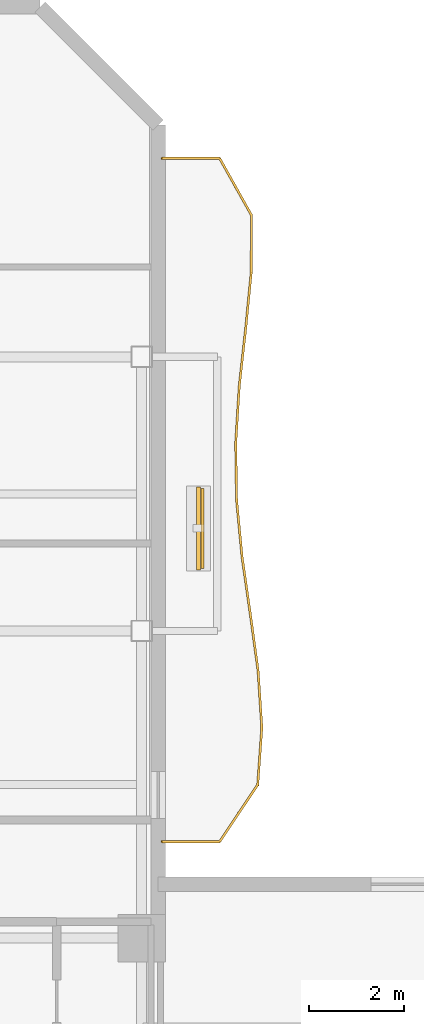
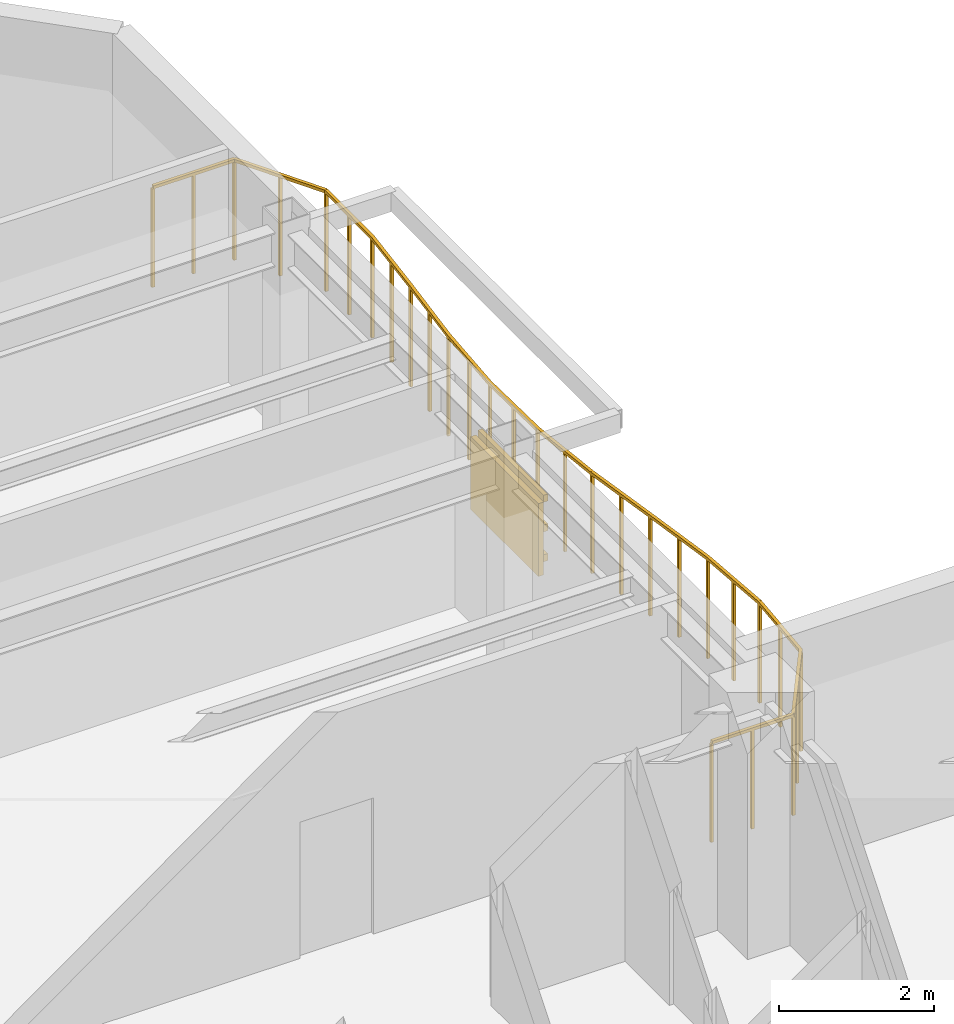
# One storey, part 9 of 9: 4 shading devices, 1 railing.
"""IFC4 building model written with IfcOpenShell, lengths in metres."""

from ifc_helpers import new_model, si_unit, direction, frame, origin, origin_2d, place, context, subcontext, project, spatial, rectangle, extrude, material, layer, layer_set, material_profile, profile_set, type_object, element, save


model = new_model("IFC4")

# Units and contexts
model_context = context("Model", 3, precision=1e-05, world=origin(), true_north=direction((0.0, 1.0)))
body_context = subcontext(model_context, "Body", "Model", "MODEL_VIEW")
ifc_project = project(units=[si_unit("LENGTHUNIT", "METRE"), si_unit("AREAUNIT", "SQUARE_METRE"), si_unit("VOLUMEUNIT", "CUBIC_METRE"), si_unit("PLANEANGLEUNIT", "RADIAN"), si_unit("MASSUNIT", "GRAM", prefix="KILO")], contexts=[model_context])

# Site, building, storey
site_placement = place(None, origin())
site = spatial("IfcSite", under=ifc_project, at=site_placement, CompositionType="ELEMENT")
building_placement = place(site_placement, origin())
building = spatial("IfcBuilding", under=site, at=building_placement, Name="Mawjaban Terraces University", CompositionType="ELEMENT")
storey_placement = place(building_placement, frame((0.0, 0.0, 179.699951171875)))
storey = spatial("IfcBuildingStorey", under=building, at=storey_placement, Name="L43", CompositionType="ELEMENT", Elevation=179.699951171875)

# Railing
ifc_material_1 = material(Name="Galvanised powder-coated steel S355", Category="steel")
railing_type = type_object("IfcRailingType", Name="BalconyBalustrade_1600", PredefinedType="BALUSTRADE", material=ifc_material_1)
railing_placement = place(storey_placement, frame((38.080078125, 25.5400390625, 0.0)))
element("IfcRailing", 1, at=railing_placement, inside=storey, type_object=railing_type, Name="L43 Balcony Guardrail inner_east", PredefinedType="BALUSTRADE", context=body_context, shape_type="SweptSolid", body=[
    extrude(rectangle(XDim=0.048095703125, YDim=0.048095703125, at=origin_2d()), frame((0.0, 0.0, 1.576171875), z_axis=(1.0, 0.0, 0.0), x_axis=(0.0, 1.0, 0.0)), (0.0, 0.0, 1.0), 1.219970703125),
    extrude(rectangle(XDim=0.048095703125, YDim=0.048095703125, at=origin_2d()), frame((1.219970703125, 0.0, 1.576171875), z_axis=(0.556369546641, 0.830934971927, 0.0), x_axis=(-0.830934971927, 0.556369546641, 0.0)), (0.0, 0.0, 1.0), 1.4501953125),
    extrude(rectangle(XDim=0.048095703125, YDim=0.048095703125, at=origin_2d()), frame((2.02685546875, 1.205078125, 1.576171875), z_axis=(0.072151881533, 0.997393656482, 0.0), x_axis=(-0.997393656482, 0.072151881533, 0.0)), (0.0, 0.0, 1.0), 1.2080078125),
    extrude(rectangle(XDim=0.048095703125, YDim=0.048095703125, at=origin_2d()), frame((2.114013671875, 2.409912109375, 1.576171875), z_axis=(-0.065499239993, 0.997852619158, 0.0), x_axis=(-0.997852619158, -0.065499239993, 0.0)), (0.0, 0.0, 1.0), 1.207763671875),
    extrude(rectangle(XDim=0.048095703125, YDim=0.048095703125, at=origin_2d()), frame((2.034912109375, 3.614990234375, 1.576171875), z_axis=(-0.135686433975, 0.990751831507, 0.0), x_axis=(-0.990751831507, -0.135686433975, 0.0)), (0.0, 0.0, 1.0), 1.21630859375),
    extrude(rectangle(XDim=0.048095703125, YDim=0.048095703125, at=origin_2d()), frame((1.869873046875, 4.820068359375, 1.576171875), z_axis=(-0.142993504754, 0.989723626877, 0.0), x_axis=(-0.989723626877, -0.142993504754, 0.0)), (0.0, 0.0, 1.0), 1.21728515625),
    extrude(rectangle(XDim=0.048095703125, YDim=0.048095703125, at=origin_2d()), frame((1.69580078125, 6.02490234375, 1.576171875), z_axis=(-0.095789257975, 0.995401636555, 0.0), x_axis=(-0.995401636555, -0.095789257975, 0.0)), (0.0, 0.0, 1.0), 1.210693359375),
    extrude(rectangle(XDim=0.048095703125, YDim=0.048095703125, at=origin_2d()), frame((1.579833984375, 7.22998046875, 1.576171875), z_axis=(-0.015597778108, 0.999878347259, 0.0), x_axis=(-0.999878347259, -0.015597778108, 0.0)), (0.0, 0.0, 1.0), 1.205322265625),
    extrude(rectangle(XDim=0.048095703125, YDim=0.048095703125, at=origin_2d()), frame((1.56103515625, 8.43505859375, 1.576171875), z_axis=(0.062894483615, 0.998020182126, 0.0), x_axis=(-0.998020182126, 0.062894483615, 0.0)), (0.0, 0.0, 1.0), 1.207275390625),
    extrude(rectangle(XDim=0.048095703125, YDim=0.048095703125, at=origin_2d()), frame((1.636962890625, 9.639892578125, 1.576171875), z_axis=(0.110542023216, 0.993871450995, 0.0), x_axis=(-0.993871450995, 0.110542023216, 0.0)), (0.0, 0.0, 1.0), 1.21240234375),
    extrude(rectangle(XDim=0.048095703125, YDim=0.048095703125, at=origin_2d()), frame((1.77099609375, 10.844970703125, 1.576171875), z_axis=(0.098186152374, 0.995168065948, 0.0), x_axis=(-0.995168065948, 0.098186152374, 0.0)), (0.0, 0.0, 1.0), 1.2109375),
    extrude(rectangle(XDim=0.048095703125, YDim=0.048095703125, at=origin_2d()), frame((1.889892578125, 12.050048828125, 1.576171875), z_axis=(0.004255280622, 0.999990946252, 0.0), x_axis=(-0.999990946252, 0.004255280622, 0.0)), (0.0, 0.0, 1.0), 1.204833984375),
    extrude(rectangle(XDim=0.048095703125, YDim=0.048095703125, at=origin_2d()), frame((1.89501953125, 13.2548828125, 1.576171875), z_axis=(-0.488716390717, 0.872442714133, 0.0), x_axis=(-0.872442714133, -0.488716390717, 0.0)), (0.0, 0.0, 1.0), 1.38134765625),
    extrude(rectangle(XDim=0.048095703125, YDim=0.048095703125, at=origin_2d()), frame((1.219970703125, 14.4599609375, 1.576171875), z_axis=(-1.0, 0.0, 0.0), x_axis=(0.0, -1.0, 0.0)), (0.0, 0.0, 1.0), 1.219970703125),
    extrude(rectangle(XDim=0.0419921875, YDim=0.0419921875, at=origin_2d()), origin(), (0.0, 0.0, 1.0), 1.552001953125),
    extrude(rectangle(XDim=0.0419921875, YDim=0.0419921875, at=origin_2d()), frame((0.60986328125, 0.0, 0.0)), (0.0, 0.0, 1.0), 1.552001953125),
    extrude(rectangle(XDim=0.0419921875, YDim=0.0419921875, at=origin_2d()), frame((1.219970703125, 0.0, 0.0)), (0.0, 0.0, 1.0), 1.552001953125),
    extrude(rectangle(XDim=0.0419921875, YDim=0.0419921875, at=origin_2d()), frame((1.62353515625, 0.6025390625, 0.0)), (0.0, 0.0, 1.0), 1.552001953125),
    extrude(rectangle(XDim=0.0419921875, YDim=0.0419921875, at=origin_2d()), frame((2.02685546875, 1.205078125, 0.0)), (0.0, 0.0, 1.0), 1.552001953125),
    extrude(rectangle(XDim=0.0419921875, YDim=0.0419921875, at=origin_2d()), frame((2.0703125, 1.8076171875, 0.0)), (0.0, 0.0, 1.0), 1.552001953125),
    extrude(rectangle(XDim=0.0419921875, YDim=0.0419921875, at=origin_2d()), frame((2.114013671875, 2.409912109375, 0.0)), (0.0, 0.0, 1.0), 1.552001953125),
    extrude(rectangle(XDim=0.0419921875, YDim=0.0419921875, at=origin_2d()), frame((2.074462890625, 3.012451171875, 0.0)), (0.0, 0.0, 1.0), 1.552001953125),
    extrude(rectangle(XDim=0.0419921875, YDim=0.0419921875, at=origin_2d()), frame((2.034912109375, 3.614990234375, 0.0)), (0.0, 0.0, 1.0), 1.552001953125),
    extrude(rectangle(XDim=0.0419921875, YDim=0.0419921875, at=origin_2d()), frame((1.952392578125, 4.217529296875, 0.0)), (0.0, 0.0, 1.0), 1.552001953125),
    extrude(rectangle(XDim=0.0419921875, YDim=0.0419921875, at=origin_2d()), frame((1.869873046875, 4.820068359375, 0.0)), (0.0, 0.0, 1.0), 1.552001953125),
    extrude(rectangle(XDim=0.0419921875, YDim=0.0419921875, at=origin_2d()), frame((1.78271484375, 5.42236328125, 0.0)), (0.0, 0.0, 1.0), 1.552001953125),
    extrude(rectangle(XDim=0.0419921875, YDim=0.0419921875, at=origin_2d()), frame((1.69580078125, 6.02490234375, 0.0)), (0.0, 0.0, 1.0), 1.552001953125),
    extrude(rectangle(XDim=0.0419921875, YDim=0.0419921875, at=origin_2d()), frame((1.6376953125, 6.62744140625, 0.0)), (0.0, 0.0, 1.0), 1.552001953125),
    extrude(rectangle(XDim=0.0419921875, YDim=0.0419921875, at=origin_2d()), frame((1.579833984375, 7.22998046875, 0.0)), (0.0, 0.0, 1.0), 1.552001953125),
    extrude(rectangle(XDim=0.0419921875, YDim=0.0419921875, at=origin_2d()), frame((1.5703125, 7.83251953125, 0.0)), (0.0, 0.0, 1.0), 1.552001953125),
    extrude(rectangle(XDim=0.0419921875, YDim=0.0419921875, at=origin_2d()), frame((1.56103515625, 8.43505859375, 0.0)), (0.0, 0.0, 1.0), 1.552001953125),
    extrude(rectangle(XDim=0.0419921875, YDim=0.0419921875, at=origin_2d()), frame((1.59912109375, 9.03759765625, 0.0)), (0.0, 0.0, 1.0), 1.552001953125),
    extrude(rectangle(XDim=0.0419921875, YDim=0.0419921875, at=origin_2d()), frame((1.636962890625, 9.639892578125, 0.0)), (0.0, 0.0, 1.0), 1.552001953125),
    extrude(rectangle(XDim=0.0419921875, YDim=0.0419921875, at=origin_2d()), frame((1.7041015625, 10.242431640625, 0.0)), (0.0, 0.0, 1.0), 1.552001953125),
    extrude(rectangle(XDim=0.0419921875, YDim=0.0419921875, at=origin_2d()), frame((1.77099609375, 10.844970703125, 0.0)), (0.0, 0.0, 1.0), 1.552001953125),
    extrude(rectangle(XDim=0.0419921875, YDim=0.0419921875, at=origin_2d()), frame((1.83056640625, 11.447509765625, 0.0)), (0.0, 0.0, 1.0), 1.552001953125),
    extrude(rectangle(XDim=0.0419921875, YDim=0.0419921875, at=origin_2d()), frame((1.889892578125, 12.050048828125, 0.0)), (0.0, 0.0, 1.0), 1.552001953125),
    extrude(rectangle(XDim=0.0419921875, YDim=0.0419921875, at=origin_2d()), frame((1.892578125, 12.65234375, 0.0)), (0.0, 0.0, 1.0), 1.552001953125),
    extrude(rectangle(XDim=0.0419921875, YDim=0.0419921875, at=origin_2d()), frame((1.89501953125, 13.2548828125, 0.0)), (0.0, 0.0, 1.0), 1.552001953125),
    extrude(rectangle(XDim=0.0419921875, YDim=0.0419921875, at=origin_2d()), frame((1.5576171875, 13.857421875, 0.0)), (0.0, 0.0, 1.0), 1.552001953125),
    extrude(rectangle(XDim=0.0419921875, YDim=0.0419921875, at=origin_2d()), frame((1.219970703125, 14.4599609375, 0.0)), (0.0, 0.0, 1.0), 1.552001953125),
    extrude(rectangle(XDim=0.0419921875, YDim=0.0419921875, at=origin_2d()), frame((0.60986328125, 14.4599609375, 0.0)), (0.0, 0.0, 1.0), 1.552001953125),
    extrude(rectangle(XDim=0.0419921875, YDim=0.0419921875, at=origin_2d()), frame((0.0, 14.4599609375, 0.0)), (0.0, 0.0, 1.0), 1.552001953125),
])

# Shading devices
ifc_material_2 = material(Name="Glazed architectural terracotta ceramic", Category="masonry")
ifc_material_profile = material_profile(ifc_material_2, rectangle(XDim=0.06494140625, YDim=0.110107421875, at=origin_2d()), Name="TBAG110X65")
ifc_profile_set = profile_set([ifc_material_profile], Name="Glazed architectural terracotta ceramic")
shading_device_type_1 = type_object("IfcShadingDeviceType", Name="TerracottaBaguette_110x65", PredefinedType="USERDEFINED", material=ifc_profile_set)
for number, where, z_axis, x_axis, name in (
    (2, (38.93896484375, 31.318115234375, 0.679931640625), (0.0, 1.0, 0.0), (-1.0, 0.0, 0.0), "L43 Horizontal Terracotta Baguette inner_east.1"),
    (3, (38.93896484375, 31.318115234375, 1.150146484375), (0.0, 1.0, 0.0), (-1.0, 0.0, 0.0), "L43 Horizontal Terracotta Baguette inner_east.2"),
    (4, (38.93896484375, 31.318115234375, 1.6201171875), (0.0, 1.0, 0.0), (-1.0, 0.0, 0.0), "L43 Horizontal Terracotta Baguette inner_east.3"),
):
    element("IfcShadingDevice", number, at=place(storey_placement, frame(where, z_axis=z_axis, x_axis=x_axis)), inside=storey, type_object=shading_device_type_1, Name=name, ObjectType="BAGUETTE", PredefinedType="USERDEFINED", context=body_context, shape_type="SweptSolid", body=[
        extrude(rectangle(XDim=0.06494140625, YDim=0.110107421875, at=origin_2d()), origin(), (0.0, 0.0, 1.0), 1.699951171875),
    ])
ifc_layer = layer(ifc_material_2, 0.080078125)
ifc_layer_set = layer_set([ifc_layer], Name="Glazed architectural terracotta ceramic")
shading_device_type_2 = type_object("IfcShadingDeviceType", Name="TerracottaScreen_Perforated", PredefinedType="USERDEFINED", material=ifc_layer_set)
shading_device_placement = place(storey_placement, frame((38.85400390625, 32.16796875, 0.440185546875), z_axis=(0.0, 0.0, 1.0), x_axis=(0.0, 1.0, 0.0)))
element("IfcShadingDevice", 5, at=shading_device_placement, inside=storey, type_object=shading_device_type_2, Name="L43 Balcony Perforated Terracotta Screen inner_east", ObjectType="SCREEN", PredefinedType="USERDEFINED", context=body_context, shape_type="SweptSolid", body=[
    extrude(rectangle(XDim=1.75, YDim=0.080078125, at=origin_2d()), origin(), (0.0, 0.0, 1.0), 1.14990234375),
])

save(model, "model.ifc")
